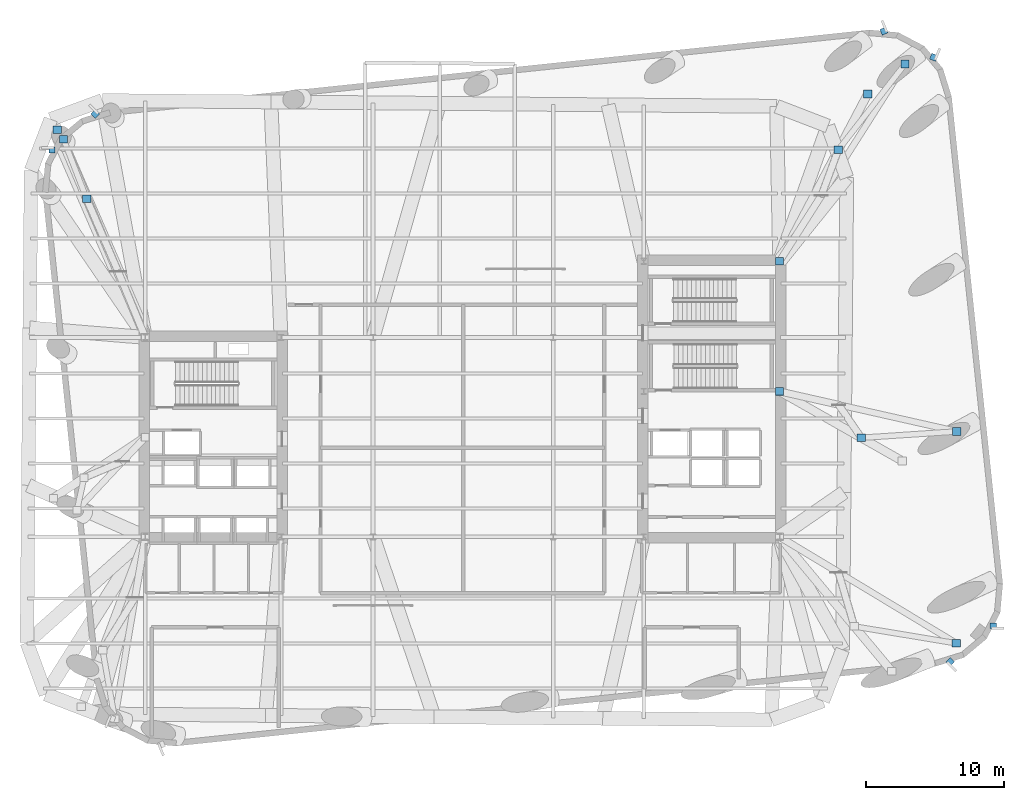
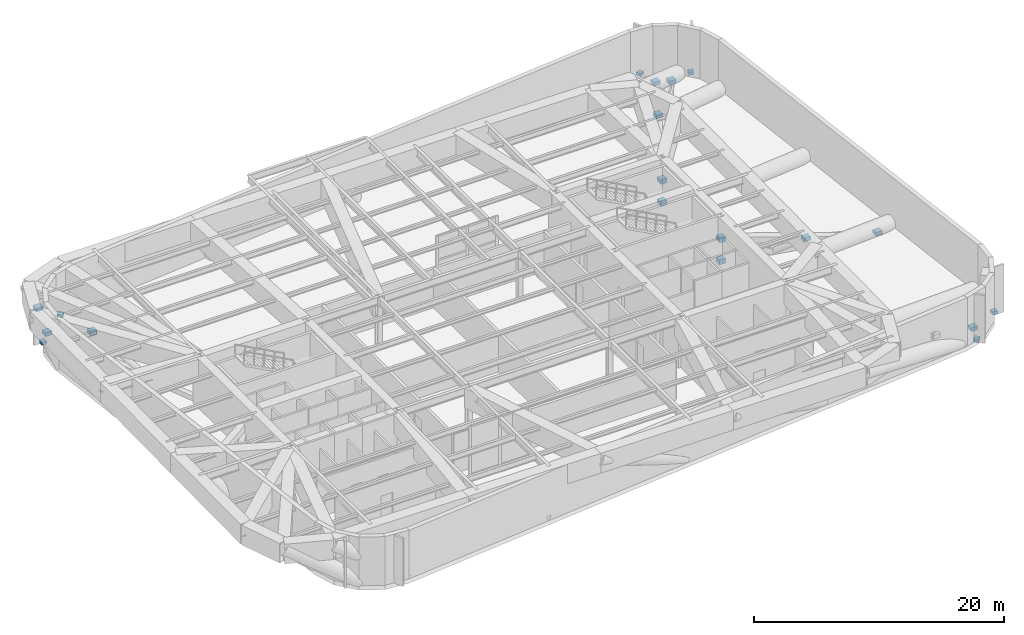
# One storey, part 10 of 15: 23 discrete accessories.
"""IFC4 building model written with IfcOpenShell, lengths in metres."""

from ifc_helpers import new_model, si_unit, direction, frame, origin, origin_2d, place, context, subcontext, project, spatial, rectangle, extrude, material, type_object, element, save


model = new_model("IFC4")

# Units and contexts
model_context = context("Model", 3, precision=1e-05, world=origin(), true_north=direction((0.0, 1.0)))
body_context = subcontext(model_context, "Body", "Model", "MODEL_VIEW")
ifc_project = project(units=[si_unit("LENGTHUNIT", "METRE"), si_unit("AREAUNIT", "SQUARE_METRE"), si_unit("VOLUMEUNIT", "CUBIC_METRE"), si_unit("PLANEANGLEUNIT", "RADIAN"), si_unit("MASSUNIT", "GRAM", prefix="KILO")], contexts=[model_context])

# Site, building, storey
site_placement = place(None, origin())
site = spatial("IfcSite", under=ifc_project, at=site_placement, CompositionType="ELEMENT")
building_placement = place(site_placement, origin())
building = spatial("IfcBuilding", under=site, at=building_placement, Name="Kolvaren Arena Tower", CompositionType="ELEMENT")
storey_placement = place(building_placement, frame((0.0, 0.0, 153.25)))
storey = spatial("IfcBuildingStorey", under=building, at=storey_placement, Name="L36", CompositionType="ELEMENT", Elevation=153.25)

# Discrete accessories
ifc_material_1 = material(Name="Stainless steel facade support bracket", Category="steel")
discrete_accessory_type_1 = type_object("IfcDiscreteAccessoryType", Name="ACC-BRKT-1", PredefinedType="BRACKET", material=ifc_material_1)
for number, where, z_axis, x_axis, name in (
    (1, (72.66943359375, 10.423828125, 0.02001953125), (0.0, 0.0, 1.0), (0.710184146885, -0.704015963962, 0.0), "Corner Fin Anchor Bracket (L36)"),
    (2, (75.7861328125, 13.01611328125, 0.02001953125), (0.0, 0.0, 1.0), (0.999990541547, 0.004349346783, 0.0), "Corner Fin Anchor Bracket (L36)"),
    (3, (71.470703125, 54.07470703125, 0.02001953125), (0.0, 0.0, 1.0), (0.378634078949, 0.925546451702, 0.0), "Corner Fin Anchor Bracket (L36)"),
    (4, (67.88330078125, 55.9619140625, 0.02001953125), (0.0, 0.0, 1.0), (-0.386706132999, 0.922202996472, 0.0), "Corner Fin Anchor Bracket (L36)"),
    (5, (10.930419921875, 49.97607421875, 0.02001953125), (0.0, 0.0, 1.0), (-0.710184146885, 0.704015963962, 0.0), "Corner Fin Anchor Bracket (L36)"),
    (6, (7.81396484375, 47.384033203125, 0.02001953125), (0.0, 0.0, 1.0), (-0.999990541547, -0.004349346783, 0.0), "Corner Fin Anchor Bracket (L36)"),
):
    element("IfcDiscreteAccessory", number, at=place(storey_placement, frame(where, z_axis=z_axis, x_axis=x_axis)), inside=storey, type_object=discrete_accessory_type_1, Name=name, PredefinedType="BRACKET", context=body_context, shape_type="SweptSolid", body=[
        extrude(rectangle(XDim=0.449951171875, YDim=0.449951171875, at=origin_2d()), origin(), (0.0, 0.0, 1.0), 0.300048828125),
    ])
ifc_material_2 = material(Name="Steel CSA G40.21 350W bolted gusset connection", Category="steel")
discrete_accessory_type_2 = type_object("IfcDiscreteAccessoryType", Name="ACC-CONN-1", PredefinedType="BRACKET", material=ifc_material_2)
for number, where, z_axis, x_axis, name in (
    (7, (10.31689453125, 43.855712890625, 2.2998046875), (0.0, 0.0, 1.0), (1.0, 0.0, 0.0), "Outrigger Gusset Connection 2-3 (L36)"),
    (8, (8.200439453125, 48.8583984375, 2.2998046875), (0.0, 0.0, 1.0), (1.0, 0.0, 0.0), "Outrigger Gusset Connection 2-4 (L36)"),
    (9, (8.647705078125, 48.159912109375, 0.169921875), (0.0, 0.0, 1.0), (1.0, 0.0, 0.0), "Outrigger Gusset Connection 2-5 (L36)"),
    (10, (73.10546875, 11.763671875, 0.169921875), (0.0, 0.0, 1.0), (1.0, 0.0, 0.0), "Outrigger Gusset Connection 3-5 (L36)"),
    (11, (60.35009765625, 39.35009765625, 2.2998046875), (0.0, 0.0, 1.0), (1.0, 0.0, 0.0), "Outrigger Gusset Connection 4-1 (L36)"),
    (12, (60.35009765625, 39.35009765625, 0.169921875), (0.0, 0.0, 1.0), (1.0, 0.0, 0.0), "Outrigger Gusset Connection 4-2 (L36)"),
    (13, (64.593017578125, 47.400390625, 2.2998046875), (0.0, 0.0, 1.0), (1.0, 0.0, 0.0), "Outrigger Gusset Connection 4-3 (L36)"),
    (14, (66.71435546875, 51.42529296875, 2.2998046875), (0.0, 0.0, 1.0), (1.0, 0.0, 0.0), "Outrigger Gusset Connection 4-4 (L36)"),
    (15, (69.41259765625, 53.59521484375, 0.169921875), (0.0, 0.0, 1.0), (1.0, 0.0, 0.0), "Outrigger Gusset Connection 4-5 (L36)"),
    (16, (60.35009765625, 29.949951171875, 2.2998046875), (0.0, 0.0, 1.0), (1.0, 0.0, 0.0), "Outrigger Gusset Connection 6-1 (L36)"),
    (17, (60.35009765625, 29.949951171875, 0.169921875), (0.0, 0.0, 1.0), (1.0, 0.0, 0.0), "Outrigger Gusset Connection 6-2 (L36)"),
    (18, (66.253173828125, 26.603271484375, 2.2998046875), (0.0, 0.0, 1.0), (1.0, 0.0, 0.0), "Outrigger Gusset Connection 6-3 (L36)"),
    (19, (73.15087890625, 27.059814453125, 0.169921875), (0.0, 0.0, 1.0), (1.0, 0.0, 0.0), "Outrigger Gusset Connection 6-5 (L36)"),
):
    element("IfcDiscreteAccessory", number, at=place(storey_placement, frame(where, z_axis=z_axis, x_axis=x_axis)), inside=storey, type_object=discrete_accessory_type_2, Name=name, PredefinedType="BRACKET", context=body_context, shape_type="SweptSolid", body=[
        extrude(rectangle(XDim=0.60009765625, YDim=0.550048828125, at=origin_2d()), origin(), (0.0, 0.0, 1.0), 0.360107421875),
    ])
for number, where, z_axis, x_axis, name in (
    (20, (60.35009765625, 39.35009765625, 2.260009765625), (0.0, 0.0, 1.0), (1.0, 0.0, 0.0), "Core Wall Cast-In Embed Plate EP1 (L36)"),
    (21, (60.35009765625, 39.35009765625, 0.130126953125), (0.0, 0.0, 1.0), (1.0, 0.0, 0.0), "Core Wall Cast-In Embed Plate EP1 (L36)"),
    (22, (60.35009765625, 29.949951171875, 2.260009765625), (0.0, 0.0, 1.0), (1.0, 0.0, 0.0), "Core Wall Cast-In Embed Plate EP1 (L36)"),
    (23, (60.35009765625, 29.949951171875, 0.130126953125), (0.0, 0.0, 1.0), (1.0, 0.0, 0.0), "Core Wall Cast-In Embed Plate EP1 (L36)"),
):
    element("IfcDiscreteAccessory", number, at=place(storey_placement, frame(where, z_axis=z_axis, x_axis=x_axis)), inside=storey, type_object=discrete_accessory_type_2, Name=name, PredefinedType="BRACKET", context=body_context, shape_type="SweptSolid", body=[
        extrude(rectangle(XDim=0.56005859375, YDim=0.56005859375, at=origin_2d()), origin(), (0.0, 0.0, 1.0), 0.43994140625),
    ])

save(model, "model.ifc")
